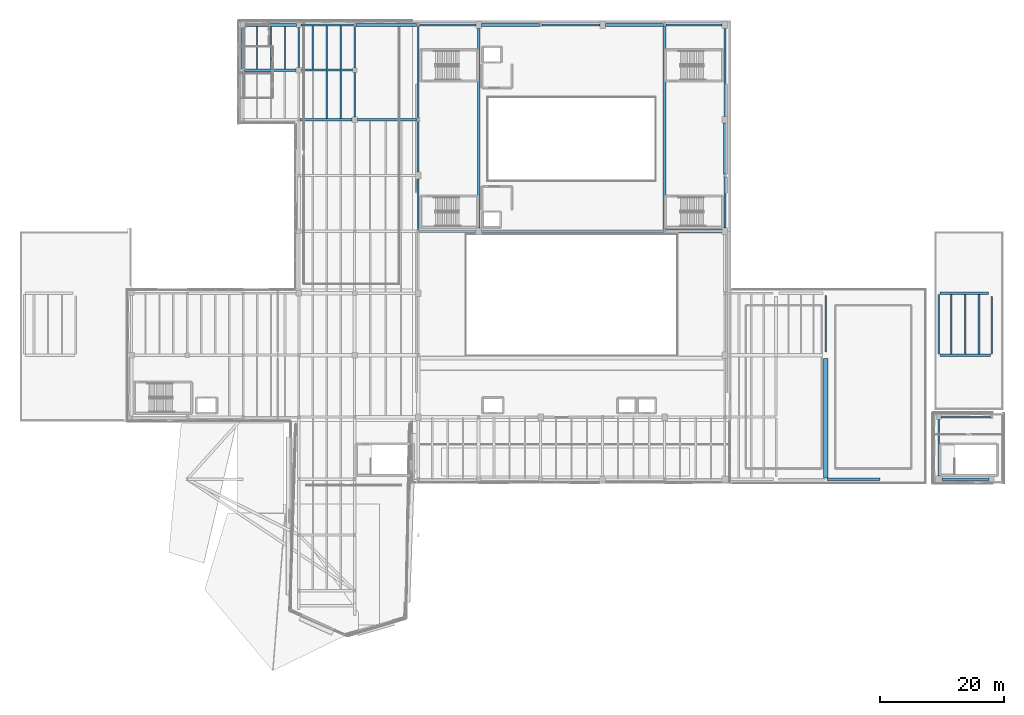
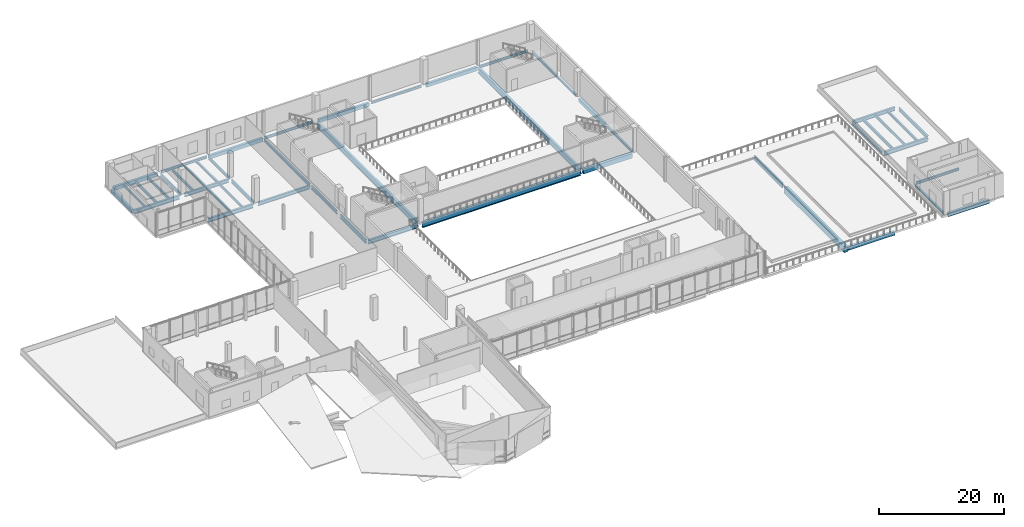
# One storey, part 24 of 41: 48 beams.
"""IFC4 building model written with IfcOpenShell, lengths in metres."""

from ifc_helpers import new_model, si_unit, direction, frame, origin, origin_2d, place, context, subcontext, project, spatial, rectangle, i_section, extrude, material, material_profile, profile_set, type_object, element, save


model = new_model("IFC4")

# Units and contexts
model_context = context("Model", 3, precision=1e-05, world=origin(), true_north=direction((0.0, 1.0)))
body_context = subcontext(model_context, "Body", "Model", "MODEL_VIEW")
ifc_project = project(units=[si_unit("LENGTHUNIT", "METRE"), si_unit("AREAUNIT", "SQUARE_METRE"), si_unit("VOLUMEUNIT", "CUBIC_METRE"), si_unit("PLANEANGLEUNIT", "RADIAN"), si_unit("MASSUNIT", "GRAM", prefix="KILO")], contexts=[model_context])

# Site, building, storey
site_placement = place(None, origin())
site = spatial("IfcSite", under=ifc_project, at=site_placement, CompositionType="ELEMENT")
building_placement = place(site_placement, origin())
building = spatial("IfcBuilding", under=site, at=building_placement, Name="Trimount Lyric Opera House", CompositionType="ELEMENT")
storey_placement = place(building_placement, frame((0.0, 0.0, 20.0)))
storey = spatial("IfcBuildingStorey", under=building, at=storey_placement, Name="L04", CompositionType="ELEMENT", Elevation=20.0)

# Beams
ifc_material_1 = material(Name="Steel ASTM A992 Grade 50", Category="steel")
ifc_material_profile_1 = material_profile(ifc_material_1, i_section(OverallWidth=0.304931640625, OverallDepth=0.9189453125, WebThickness=0.017333984375, FlangeThickness=0.02783203125, FilletRadius=0.02001953125, at=origin_2d()), Name="W36X170")
ifc_profile_set_1 = profile_set([ifc_material_profile_1], Name="Steel ASTM A992 Grade 50")
beam_type_1 = type_object("IfcBeamType", Name="B-03", PredefinedType="BEAM", material=ifc_profile_set_1)
beam_1_placement = place(storey_placement, frame((130.0, 64.5, -0.8095703125), z_axis=(0.0, 1.0, 0.0), x_axis=(-1.0, 0.0, 0.0)))
element("IfcBeam", 1, at=beam_1_placement, inside=storey, type_object=beam_type_1, Name="L04 girder Y-1240", PredefinedType="BEAM", context=body_context, shape_type="SweptSolid", body=[
    extrude(i_section(OverallWidth=0.304931640625, OverallDepth=0.9189453125, WebThickness=0.017333984375, FlangeThickness=0.02783203125, FilletRadius=0.02001953125, at=origin_2d()), origin(), (0.0, 0.0, 1.0), 9.10009765625),
])
ifc_material_2 = material(Name="Steel ASTM A992 Grade 50", Category="steel")
ifc_material_profile_2 = material_profile(ifc_material_2, i_section(OverallWidth=0.382080078125, OverallDepth=0.779052734375, WebThickness=0.01806640625, FlangeThickness=0.0302734375, FilletRadius=0.01904296875, at=origin_2d()), Name="W30X191")
ifc_profile_set_2 = profile_set([ifc_material_profile_2], Name="Steel ASTM A992 Grade 50")
beam_type_2 = type_object("IfcBeamType", Name="B-06", PredefinedType="BEAM", material=ifc_profile_set_2)
beam_2_placement = place(storey_placement, frame((148.426513671875, 64.0, -0.679443359375), z_axis=(1.0, 0.0, 0.0), x_axis=(0.0, 1.0, 0.0)))
element("IfcBeam", 2, at=beam_2_placement, inside=storey, type_object=beam_type_2, Name="L04 girder X-1157", PredefinedType="BEAM", context=body_context, shape_type="SweptSolid", body=[
    extrude(i_section(OverallWidth=0.382080078125, OverallDepth=0.779052734375, WebThickness=0.01806640625, FlangeThickness=0.0302734375, FilletRadius=0.01904296875, at=origin_2d()), origin(), (0.0, 0.0, 1.0), 8.134033203125),
])
beam_3_placement = place(storey_placement, frame((64.470947265625, 84.0, -0.714599609375), z_axis=(1.0, 0.0, 0.0), x_axis=(0.0, 1.0, 0.0)))
element("IfcBeam", 3, at=beam_3_placement, inside=storey, type_object=beam_type_2, Name="L04 girder X-1169", PredefinedType="BEAM", context=body_context, shape_type="SweptSolid", body=[
    extrude(i_section(OverallWidth=0.382080078125, OverallDepth=0.779052734375, WebThickness=0.01806640625, FlangeThickness=0.0302734375, FilletRadius=0.01904296875, at=origin_2d()), origin(), (0.0, 0.0, 1.0), 9.0791015625),
])
for number, where, z_axis, x_axis, name in (
    (4, (45.18408203125, 102.0, -0.66943359375), (1.0, 0.0, 0.0), (0.0, 1.0, 0.0), "L04 girder X-1175"),
    (5, (36.18408203125, 110.0, -0.66943359375), (1.0, 0.0, 0.0), (0.0, 1.0, 0.0), "L04 girder X-1177"),
):
    element("IfcBeam", number, at=place(storey_placement, frame(where, z_axis=z_axis, x_axis=x_axis)), inside=storey, type_object=beam_type_2, Name=name, PredefinedType="BEAM", context=body_context, shape_type="SweptSolid", body=[
        extrude(i_section(OverallWidth=0.382080078125, OverallDepth=0.779052734375, WebThickness=0.01806640625, FlangeThickness=0.0302734375, FilletRadius=0.01904296875, at=origin_2d()), origin(), (0.0, 0.0, 1.0), 8.365966796875),
    ])
ifc_material_3 = material(Name="Steel ASTM A992 Grade 50", Category="steel")
ifc_material_profile_3 = material_profile(ifc_material_3, i_section(OverallWidth=0.26708984375, OverallDepth=0.761962890625, WebThickness=0.014404296875, FlangeThickness=0.021484375, FilletRadius=0.01708984375, at=origin_2d()), Name="W30X116")
ifc_profile_set_3 = profile_set([ifc_material_profile_3], Name="Steel ASTM A992 Grade 50")
beam_type_3 = type_object("IfcBeamType", Name="B-07", PredefinedType="BEAM", material=ifc_profile_set_3)
beam_4_placement = place(storey_placement, frame((64.260009765625, 84.232421875, -0.7060546875), z_axis=(0.0, 1.0, 0.0), x_axis=(-1.0, 0.0, 0.0)))
element("IfcBeam", 6, at=beam_4_placement, inside=storey, type_object=beam_type_3, Name="L04 girder Y-1220", PredefinedType="BEAM", context=body_context, shape_type="SweptSolid", body=[
    extrude(i_section(OverallWidth=0.26708984375, OverallDepth=0.761962890625, WebThickness=0.014404296875, FlangeThickness=0.021484375, FilletRadius=0.01708984375, at=origin_2d()), origin(), (0.0, 0.0, 1.0), 8.217529296875),
])
ifc_material_4 = material(Name="Steel ASTM A992 Grade 50", Category="steel")
ifc_material_profile_4 = material_profile(ifc_material_4, i_section(OverallWidth=0.35595703125, OverallDepth=0.700927734375, WebThickness=0.016845703125, FlangeThickness=0.02734375, FilletRadius=0.01806640625, at=origin_2d()), Name="W27X161")
ifc_profile_set_4 = profile_set([ifc_material_profile_4], Name="Steel ASTM A992 Grade 50")
beam_type_4 = type_object("IfcBeamType", Name="B-08", PredefinedType="BEAM", material=ifc_profile_set_4)
beam_5_placement = place(storey_placement, frame((148.439453125, 74.0, -0.640380859375), z_axis=(1.0, 0.0, 0.0), x_axis=(0.0, 1.0, 0.0)))
element("IfcBeam", 7, at=beam_5_placement, inside=storey, type_object=beam_type_4, Name="L04 girder X-1166", PredefinedType="BEAM", context=body_context, shape_type="SweptSolid", body=[
    extrude(i_section(OverallWidth=0.35595703125, OverallDepth=0.700927734375, WebThickness=0.016845703125, FlangeThickness=0.02734375, FilletRadius=0.01806640625, at=origin_2d()), origin(), (0.0, 0.0, 1.0), 7.820556640625),
])
beam_6_placement = place(storey_placement, frame((54.449951171875, 102.0, -0.675537109375), z_axis=(1.0, 0.0, 0.0), x_axis=(0.0, 1.0, 0.0)))
element("IfcBeam", 8, at=beam_6_placement, inside=storey, type_object=beam_type_4, Name="L04 girder X-1176", PredefinedType="BEAM", context=body_context, shape_type="SweptSolid", body=[
    extrude(i_section(OverallWidth=0.35595703125, OverallDepth=0.700927734375, WebThickness=0.016845703125, FlangeThickness=0.02734375, FilletRadius=0.01806640625, at=origin_2d()), origin(), (0.0, 0.0, 1.0), 9.59912109375),
])
beam_7_placement = place(storey_placement, frame((45.449951171875, 110.0, -0.630615234375), z_axis=(1.0, 0.0, 0.0), x_axis=(0.0, 1.0, 0.0)))
element("IfcBeam", 9, at=beam_7_placement, inside=storey, type_object=beam_type_4, Name="L04 girder X-1178", PredefinedType="BEAM", context=body_context, shape_type="SweptSolid", body=[
    extrude(i_section(OverallWidth=0.35595703125, OverallDepth=0.700927734375, WebThickness=0.016845703125, FlangeThickness=0.02734375, FilletRadius=0.01806640625, at=origin_2d()), origin(), (0.0, 0.0, 1.0), 8.175048828125),
])
ifc_material_5 = material(Name="Steel ASTM A992 Grade 50", Category="steel")
ifc_material_profile_5 = material_profile(ifc_material_5, i_section(OverallWidth=0.25390625, OverallDepth=0.68798828125, WebThickness=0.01318359375, FlangeThickness=0.02099609375, FilletRadius=0.01611328125, at=origin_2d()), Name="W27X102")
ifc_profile_set_5 = profile_set([ifc_material_profile_5], Name="Steel ASTM A992 Grade 50")
beam_type_5 = type_object("IfcBeamType", Name="B-09", PredefinedType="BEAM", material=ifc_profile_set_5)
beam_8_placement = place(storey_placement, frame((45.0, 110.449951171875, -0.6240234375), z_axis=(0.0, 1.0, 0.0), x_axis=(-1.0, 0.0, 0.0)))
element("IfcBeam", 10, at=beam_8_placement, inside=storey, type_object=beam_type_5, Name="L04 girder Y-1205", PredefinedType="BEAM", context=body_context, shape_type="SweptSolid", body=[
    extrude(i_section(OverallWidth=0.25390625, OverallDepth=0.68798828125, WebThickness=0.01318359375, FlangeThickness=0.02099609375, FilletRadius=0.01611328125, at=origin_2d()), origin(), (0.0, 0.0, 1.0), 6.455078125),
])
beam_9_placement = place(storey_placement, frame((54.0, 102.449951171875, -0.6240234375), z_axis=(0.0, 1.0, 0.0), x_axis=(-1.0, 0.0, 0.0)))
element("IfcBeam", 11, at=beam_9_placement, inside=storey, type_object=beam_type_5, Name="L04 girder Y-1214", PredefinedType="BEAM", context=body_context, shape_type="SweptSolid", body=[
    extrude(i_section(OverallWidth=0.25390625, OverallDepth=0.68798828125, WebThickness=0.01318359375, FlangeThickness=0.02099609375, FilletRadius=0.01611328125, at=origin_2d()), origin(), (0.0, 0.0, 1.0), 7.175048828125),
])
beam_10_placement = place(storey_placement, frame((64.260009765625, 93.550048828125, -0.6689453125), z_axis=(0.0, 1.0, 0.0), x_axis=(-1.0, 0.0, 0.0)))
element("IfcBeam", 12, at=beam_10_placement, inside=storey, type_object=beam_type_5, Name="L04 girder Y-1221", PredefinedType="BEAM", context=body_context, shape_type="SweptSolid", body=[
    extrude(i_section(OverallWidth=0.25390625, OverallDepth=0.68798828125, WebThickness=0.01318359375, FlangeThickness=0.02099609375, FilletRadius=0.01611328125, at=origin_2d()), origin(), (0.0, 0.0, 1.0), 8.217529296875),
])
beam_11_placement = place(storey_placement, frame((156.760009765625, 64.193115234375, -0.634033203125), z_axis=(0.0, 1.0, 0.0), x_axis=(-1.0, 0.0, 0.0)))
element("IfcBeam", 13, at=beam_11_placement, inside=storey, type_object=beam_type_5, Name="L04 girder Y-1243", PredefinedType="BEAM", context=body_context, shape_type="SweptSolid", body=[
    extrude(i_section(OverallWidth=0.25390625, OverallDepth=0.68798828125, WebThickness=0.01318359375, FlangeThickness=0.02099609375, FilletRadius=0.01611328125, at=origin_2d()), origin(), (0.0, 0.0, 1.0), 9.306884765625),
])
ifc_material_6 = material(Name="Steel ASTM A992 Grade 50", Category="steel")
ifc_material_profile_6 = material_profile(ifc_material_6, i_section(OverallWidth=0.22998046875, OverallDepth=0.616943359375, WebThickness=0.01318359375, FlangeThickness=0.022216796875, FilletRadius=0.013916015625, at=origin_2d()), Name="W24X94")
ifc_profile_set_6 = profile_set([ifc_material_profile_6], Name="Steel ASTM A992 Grade 50")
beam_type_6 = type_object("IfcBeamType", Name="B-11", PredefinedType="BEAM", material=ifc_profile_set_6)
beam_12_placement = place(storey_placement, frame((54.0, 110.375, -0.58837890625), z_axis=(0.0, 1.0, 0.0), x_axis=(-1.0, 0.0, 0.0)))
element("IfcBeam", 14, at=beam_12_placement, inside=storey, type_object=beam_type_6, Name="L04 girder Y-1215", PredefinedType="BEAM", context=body_context, shape_type="SweptSolid", body=[
    extrude(i_section(OverallWidth=0.22998046875, OverallDepth=0.616943359375, WebThickness=0.01318359375, FlangeThickness=0.022216796875, FilletRadius=0.013916015625, at=origin_2d()), origin(), (0.0, 0.0, 1.0), 6.72705078125),
])
beam_13_placement = place(storey_placement, frame((64.260009765625, 102.232421875, -0.633544921875), z_axis=(0.0, 1.0, 0.0), x_axis=(-1.0, 0.0, 0.0)))
element("IfcBeam", 15, at=beam_13_placement, inside=storey, type_object=beam_type_6, Name="L04 girder Y-1222", PredefinedType="BEAM", context=body_context, shape_type="SweptSolid", body=[
    extrude(i_section(OverallWidth=0.22998046875, OverallDepth=0.616943359375, WebThickness=0.01318359375, FlangeThickness=0.022216796875, FilletRadius=0.013916015625, at=origin_2d()), origin(), (0.0, 0.0, 1.0), 14.815185546875),
])
ifc_material_7 = material(Name="Concrete C40/50", Category="concrete")
ifc_material_profile_7 = material_profile(ifc_material_7, rectangle(XDim=0.550048828125, YDim=0.89990234375, at=origin_2d()), Name="RC550X900")
ifc_profile_set_7 = profile_set([ifc_material_profile_7], Name="Concrete C40/50")
beam_type_7 = type_object("IfcBeamType", Name="B-14", PredefinedType="BEAM", material=ifc_profile_set_7)
beam_14_placement = place(storey_placement, frame((104.2109375, 84.0, -0.77490234375), z_axis=(1.0, 0.0, 0.0), x_axis=(0.0, 1.0, 0.0)))
element("IfcBeam", 16, at=beam_14_placement, inside=storey, type_object=beam_type_7, Name="L04 girder X-1171", PredefinedType="BEAM", context=body_context, shape_type="SweptSolid", body=[
    extrude(rectangle(XDim=0.550048828125, YDim=0.89990234375, at=origin_2d()), origin(), (0.0, 0.0, 1.0), 9.0791015625),
])
ifc_material_8 = material(Name="Steel ASTM A992 Grade 50", Category="steel")
ifc_material_profile_8 = material_profile(ifc_material_8, i_section(OverallWidth=0.22802734375, OverallDepth=0.60205078125, WebThickness=0.010498046875, FlangeThickness=0.014892578125, FilletRadius=0.012939453125, at=origin_2d()), Name="W24X68")
ifc_profile_set_8 = profile_set([ifc_material_profile_8], Name="Steel ASTM A992 Grade 50")
beam_type_8 = type_object("IfcBeamType", Name="J-01", PredefinedType="BEAM", material=ifc_profile_set_8)
beam_15_placement = place(storey_placement, frame((40.5, 110.18701171875, -0.5810546875), z_axis=(0.0, 1.0, 0.0), x_axis=(-1.0, 0.0, 0.0)))
element("IfcBeam", 17, at=beam_15_placement, inside=storey, type_object=beam_type_8, Name="L04 composite floor joist 1151", PredefinedType="BEAM", context=body_context, shape_type="SweptSolid", body=[
    extrude(i_section(OverallWidth=0.22802734375, OverallDepth=0.60205078125, WebThickness=0.010498046875, FlangeThickness=0.014892578125, FilletRadius=0.012939453125, at=origin_2d()), origin(), (0.0, 0.0, 1.0), 6.8720703125),
])
beam_16_placement = place(storey_placement, frame((49.5, 102.18701171875, -0.5810546875), z_axis=(0.0, 1.0, 0.0), x_axis=(-1.0, 0.0, 0.0)))
element("IfcBeam", 18, at=beam_16_placement, inside=storey, type_object=beam_type_8, Name="L04 composite floor joist 1178", PredefinedType="BEAM", context=body_context, shape_type="SweptSolid", body=[
    extrude(i_section(OverallWidth=0.22802734375, OverallDepth=0.60205078125, WebThickness=0.010498046875, FlangeThickness=0.014892578125, FilletRadius=0.012939453125, at=origin_2d()), origin(), (0.0, 0.0, 1.0), 7.638916015625),
])
beam_17_placement = place(storey_placement, frame((47.25, 110.174072265625, -0.5810546875), z_axis=(0.0, 1.0, 0.0), x_axis=(-1.0, 0.0, 0.0)))
element("IfcBeam", 19, at=beam_17_placement, inside=storey, type_object=beam_type_8, Name="L04 composite floor joist 1180", PredefinedType="BEAM", context=body_context, shape_type="SweptSolid", body=[
    extrude(i_section(OverallWidth=0.22802734375, OverallDepth=0.60205078125, WebThickness=0.010498046875, FlangeThickness=0.014892578125, FilletRadius=0.012939453125, at=origin_2d()), origin(), (0.0, 0.0, 1.0), 6.968994140625),
])
beam_18_placement = place(storey_placement, frame((150.25, 64.18701171875, -0.591064453125), z_axis=(0.0, 1.0, 0.0), x_axis=(-1.0, 0.0, 0.0)))
element("IfcBeam", 20, at=beam_18_placement, inside=storey, type_object=beam_type_8, Name="L04 composite floor joist 1225", PredefinedType="BEAM", context=body_context, shape_type="SweptSolid", body=[
    extrude(i_section(OverallWidth=0.22802734375, OverallDepth=0.60205078125, WebThickness=0.010498046875, FlangeThickness=0.014892578125, FilletRadius=0.012939453125, at=origin_2d()), origin(), (0.0, 0.0, 1.0), 9.638916015625),
])
ifc_material_9 = material(Name="Steel ASTM A992 Grade 50", Category="steel")
ifc_material_profile_9 = material_profile(ifc_material_9, i_section(OverallWidth=0.2099609375, OverallDepth=0.532958984375, WebThickness=0.01025390625, FlangeThickness=0.015625, FilletRadius=0.012939453125, at=origin_2d()), Name="W21X62")
ifc_profile_set_9 = profile_set([ifc_material_profile_9], Name="Steel ASTM A992 Grade 50")
beam_type_9 = type_object("IfcBeamType", Name="J-02", PredefinedType="BEAM", material=ifc_profile_set_9)
beam_19_placement = place(storey_placement, frame((42.75, 110.18701171875, -0.54638671875), z_axis=(0.0, 1.0, 0.0), x_axis=(-1.0, 0.0, 0.0)))
element("IfcBeam", 21, at=beam_19_placement, inside=storey, type_object=beam_type_9, Name="L04 composite floor joist 1152", PredefinedType="BEAM", context=body_context, shape_type="SweptSolid", body=[
    extrude(i_section(OverallWidth=0.2099609375, OverallDepth=0.532958984375, WebThickness=0.01025390625, FlangeThickness=0.015625, FilletRadius=0.012939453125, at=origin_2d()), origin(), (0.0, 0.0, 1.0), 6.8720703125),
])
beam_20_placement = place(storey_placement, frame((51.75, 102.18701171875, -0.54638671875), z_axis=(0.0, 1.0, 0.0), x_axis=(-1.0, 0.0, 0.0)))
element("IfcBeam", 22, at=beam_20_placement, inside=storey, type_object=beam_type_9, Name="L04 composite floor joist 1179", PredefinedType="BEAM", context=body_context, shape_type="SweptSolid", body=[
    extrude(i_section(OverallWidth=0.2099609375, OverallDepth=0.532958984375, WebThickness=0.01025390625, FlangeThickness=0.015625, FilletRadius=0.012939453125, at=origin_2d()), origin(), (0.0, 0.0, 1.0), 7.638916015625),
])
beam_21_placement = place(storey_placement, frame((49.5, 110.174072265625, -0.54638671875), z_axis=(0.0, 1.0, 0.0), x_axis=(-1.0, 0.0, 0.0)))
element("IfcBeam", 23, at=beam_21_placement, inside=storey, type_object=beam_type_9, Name="L04 composite floor joist 1181", PredefinedType="BEAM", context=body_context, shape_type="SweptSolid", body=[
    extrude(i_section(OverallWidth=0.2099609375, OverallDepth=0.532958984375, WebThickness=0.01025390625, FlangeThickness=0.015625, FilletRadius=0.012939453125, at=origin_2d()), origin(), (0.0, 0.0, 1.0), 6.968994140625),
])
beam_22_placement = place(storey_placement, frame((152.5, 64.18701171875, -0.556396484375), z_axis=(0.0, 1.0, 0.0), x_axis=(-1.0, 0.0, 0.0)))
element("IfcBeam", 24, at=beam_22_placement, inside=storey, type_object=beam_type_9, Name="L04 composite floor joist 1226", PredefinedType="BEAM", context=body_context, shape_type="SweptSolid", body=[
    extrude(i_section(OverallWidth=0.2099609375, OverallDepth=0.532958984375, WebThickness=0.01025390625, FlangeThickness=0.015625, FilletRadius=0.012939453125, at=origin_2d()), origin(), (0.0, 0.0, 1.0), 9.638916015625),
])
ifc_material_10 = material(Name="Steel ASTM A992 Grade 50", Category="steel")
ifc_material_profile_10 = material_profile(ifc_material_10, i_section(OverallWidth=0.281982421875, OverallDepth=0.467041015625, WebThickness=0.01220703125, FlangeThickness=0.01953125, FilletRadius=0.012939453125, at=origin_2d()), Name="W18X86")
ifc_profile_set_10 = profile_set([ifc_material_profile_10], Name="Steel ASTM A992 Grade 50")
beam_type_10 = type_object("IfcBeamType", Name="J-03", PredefinedType="BEAM", material=ifc_profile_set_10)
beam_23_placement = place(storey_placement, frame((51.75, 110.174072265625, -0.513427734375), z_axis=(0.0, 1.0, 0.0), x_axis=(-1.0, 0.0, 0.0)))
element("IfcBeam", 25, at=beam_23_placement, inside=storey, type_object=beam_type_10, Name="L04 composite floor joist 1182", PredefinedType="BEAM", context=body_context, shape_type="SweptSolid", body=[
    extrude(i_section(OverallWidth=0.281982421875, OverallDepth=0.467041015625, WebThickness=0.01220703125, FlangeThickness=0.01953125, FilletRadius=0.012939453125, at=origin_2d()), origin(), (0.0, 0.0, 1.0), 6.968994140625),
])
beam_24_placement = place(storey_placement, frame((154.75, 64.18701171875, -0.5234375), z_axis=(0.0, 1.0, 0.0), x_axis=(-1.0, 0.0, 0.0)))
element("IfcBeam", 26, at=beam_24_placement, inside=storey, type_object=beam_type_10, Name="L04 composite floor joist 1227", PredefinedType="BEAM", context=body_context, shape_type="SweptSolid", body=[
    extrude(i_section(OverallWidth=0.281982421875, OverallDepth=0.467041015625, WebThickness=0.01220703125, FlangeThickness=0.01953125, FilletRadius=0.012939453125, at=origin_2d()), origin(), (0.0, 0.0, 1.0), 9.638916015625),
])
ifc_material_11 = material(Name="Steel ASTM A992 Grade 50", Category="steel")
ifc_material_profile_11 = material_profile(ifc_material_11, i_section(OverallWidth=0.177978515625, OverallDepth=0.404052734375, WebThickness=0.007568359375, FlangeThickness=0.010986328125, FilletRadius=0.010009765625, at=origin_2d()), Name="W16X36")
ifc_profile_set_11 = profile_set([ifc_material_profile_11], Name="Steel ASTM A992 Grade 50")
beam_type_11 = type_object("IfcBeamType", Name="J-06", PredefinedType="BEAM", material=ifc_profile_set_11)
beam_25_placement = place(storey_placement, frame((38.25, 110.18701171875, -0.48193359375), z_axis=(0.0, 1.0, 0.0), x_axis=(-1.0, 0.0, 0.0)))
element("IfcBeam", 27, at=beam_25_placement, inside=storey, type_object=beam_type_11, Name="L04 composite floor joist 1150", PredefinedType="BEAM", context=body_context, shape_type="SweptSolid", body=[
    extrude(i_section(OverallWidth=0.177978515625, OverallDepth=0.404052734375, WebThickness=0.007568359375, FlangeThickness=0.010986328125, FilletRadius=0.010009765625, at=origin_2d()), origin(), (0.0, 0.0, 1.0), 6.8720703125),
])
ifc_material_12 = material(Name="Steel ASTM A992 Grade 50", Category="steel")
ifc_material_profile_12 = material_profile(ifc_material_12, i_section(OverallWidth=0.281982421875, OverallDepth=0.467041015625, WebThickness=0.01220703125, FlangeThickness=0.01953125, FilletRadius=0.012939453125, at=origin_2d()), Name="W18X86")
ifc_profile_set_12 = profile_set([ifc_material_profile_12], Name="Steel ASTM A992 Grade 50")
beam_type_12 = type_object("IfcBeamType", Name="SP-01", PredefinedType="SPANDREL", material=ifc_profile_set_12)
beam_26_placement = place(storey_placement, frame((148.639892578125, 54.0, -0.4833984375), z_axis=(1.0, 0.0, 0.0), x_axis=(0.0, 1.0, 0.0)))
element("IfcBeam", 28, at=beam_26_placement, inside=storey, type_object=beam_type_12, Name="L04 girder X-1148", PredefinedType="SPANDREL", context=body_context, shape_type="SweptSolid", body=[
    extrude(i_section(OverallWidth=0.281982421875, OverallDepth=0.467041015625, WebThickness=0.01220703125, FlangeThickness=0.01953125, FilletRadius=0.012939453125, at=origin_2d()), origin(), (0.0, 0.0, 1.0), 7.93359375),
])
beam_27_placement = place(storey_placement, frame((45.375, 117.280029296875, -0.513427734375), z_axis=(1.0, 0.0, 0.0), x_axis=(0.0, 1.0, 0.0)))
element("IfcBeam", 29, at=beam_27_placement, inside=storey, type_object=beam_type_12, Name="L04 girder X-1180", PredefinedType="SPANDREL", context=body_context, shape_type="SweptSolid", body=[
    extrude(i_section(OverallWidth=0.281982421875, OverallDepth=0.467041015625, WebThickness=0.01220703125, FlangeThickness=0.01953125, FilletRadius=0.012939453125, at=origin_2d()), origin(), (0.0, 0.0, 1.0), 8.44091796875),
])
beam_28_placement = place(storey_placement, frame((64.470947265625, 117.280029296875, -0.55859375), z_axis=(1.0, 0.0, 0.0), x_axis=(0.0, 1.0, 0.0)))
element("IfcBeam", 30, at=beam_28_placement, inside=storey, type_object=beam_type_12, Name="L04 girder X-1182", PredefinedType="SPANDREL", context=body_context, shape_type="SweptSolid", body=[
    extrude(i_section(OverallWidth=0.281982421875, OverallDepth=0.467041015625, WebThickness=0.01220703125, FlangeThickness=0.01953125, FilletRadius=0.012939453125, at=origin_2d()), origin(), (0.0, 0.0, 1.0), 9.0791015625),
])
beam_29_placement = place(storey_placement, frame((84.2109375, 117.280029296875, -0.55859375), z_axis=(1.0, 0.0, 0.0), x_axis=(0.0, 1.0, 0.0)))
element("IfcBeam", 31, at=beam_29_placement, inside=storey, type_object=beam_type_12, Name="L04 girder X-1184", PredefinedType="SPANDREL", context=body_context, shape_type="SweptSolid", body=[
    extrude(i_section(OverallWidth=0.281982421875, OverallDepth=0.467041015625, WebThickness=0.01220703125, FlangeThickness=0.01953125, FilletRadius=0.012939453125, at=origin_2d()), origin(), (0.0, 0.0, 1.0), 9.339111328125),
])
beam_30_placement = place(storey_placement, frame((104.2109375, 117.280029296875, -0.55859375), z_axis=(1.0, 0.0, 0.0), x_axis=(0.0, 1.0, 0.0)))
element("IfcBeam", 32, at=beam_30_placement, inside=storey, type_object=beam_type_12, Name="L04 girder X-1186", PredefinedType="SPANDREL", context=body_context, shape_type="SweptSolid", body=[
    extrude(i_section(OverallWidth=0.281982421875, OverallDepth=0.467041015625, WebThickness=0.01220703125, FlangeThickness=0.01953125, FilletRadius=0.012939453125, at=origin_2d()), origin(), (0.0, 0.0, 1.0), 9.0791015625),
])
beam_31_placement = place(storey_placement, frame((113.739990234375, 84.550048828125, -0.55859375), z_axis=(0.0, 1.0, 0.0), x_axis=(-1.0, 0.0, 0.0)))
element("IfcBeam", 33, at=beam_31_placement, inside=storey, type_object=beam_type_12, Name="L04 girder Y-1233", PredefinedType="SPANDREL", context=body_context, shape_type="SweptSolid", body=[
    extrude(i_section(OverallWidth=0.281982421875, OverallDepth=0.467041015625, WebThickness=0.01220703125, FlangeThickness=0.01953125, FilletRadius=0.012939453125, at=origin_2d()), origin(), (0.0, 0.0, 1.0), 8.217529296875),
])
beam_32_placement = place(storey_placement, frame((113.739990234375, 102.550048828125, -0.55859375), z_axis=(0.0, 1.0, 0.0), x_axis=(-1.0, 0.0, 0.0)))
element("IfcBeam", 34, at=beam_32_placement, inside=storey, type_object=beam_type_12, Name="L04 girder Y-1235", PredefinedType="SPANDREL", context=body_context, shape_type="SweptSolid", body=[
    extrude(i_section(OverallWidth=0.281982421875, OverallDepth=0.467041015625, WebThickness=0.01220703125, FlangeThickness=0.01953125, FilletRadius=0.012939453125, at=origin_2d()), origin(), (0.0, 0.0, 1.0), 14.179931640625),
])
beam_33_placement = place(storey_placement, frame((148.239990234375, 44.5, -0.4833984375), z_axis=(0.0, 1.0, 0.0), x_axis=(-1.0, 0.0, 0.0)))
element("IfcBeam", 35, at=beam_33_placement, inside=storey, type_object=beam_type_12, Name="L04 girder Y-1241", PredefinedType="SPANDREL", context=body_context, shape_type="SweptSolid", body=[
    extrude(i_section(OverallWidth=0.281982421875, OverallDepth=0.467041015625, WebThickness=0.01220703125, FlangeThickness=0.01953125, FilletRadius=0.012939453125, at=origin_2d()), origin(), (0.0, 0.0, 1.0), 9.10009765625),
])
beam_34_placement = place(storey_placement, frame((148.239990234375, 64.18408203125, -0.5234375), z_axis=(0.0, 1.0, 0.0), x_axis=(-1.0, 0.0, 0.0)))
element("IfcBeam", 36, at=beam_34_placement, inside=storey, type_object=beam_type_12, Name="L04 girder Y-1242", PredefinedType="SPANDREL", context=body_context, shape_type="SweptSolid", body=[
    extrude(i_section(OverallWidth=0.281982421875, OverallDepth=0.467041015625, WebThickness=0.01220703125, FlangeThickness=0.01953125, FilletRadius=0.012939453125, at=origin_2d()), origin(), (0.0, 0.0, 1.0), 9.622802734375),
])
ifc_material_13 = material(Name="Concrete C40/50", Category="concrete")
ifc_material_profile_13 = material_profile(ifc_material_13, rectangle(XDim=0.449951171875, YDim=0.699951171875, at=origin_2d()), Name="RC450X700")
ifc_profile_set_13 = profile_set([ifc_material_profile_13], Name="Concrete C40/50")
beam_type_13 = type_object("IfcBeamType", Name="SP-02", PredefinedType="SPANDREL", material=ifc_profile_set_13)
beam_35_placement = place(storey_placement, frame((130.1865234375, 44.0, -0.699951171875), z_axis=(1.0, 0.0, 0.0), x_axis=(0.0, 1.0, 0.0)))
element("IfcBeam", 37, at=beam_35_placement, inside=storey, type_object=beam_type_13, Name="L04 girder X-1135", PredefinedType="SPANDREL", context=body_context, shape_type="SweptSolid", body=[
    extrude(rectangle(XDim=0.449951171875, YDim=0.699951171875, at=origin_2d()), origin(), (0.0, 0.0, 1.0), 8.614013671875),
])
beam_36_placement = place(storey_placement, frame((148.739990234375, 44.0, -0.60009765625), z_axis=(1.0, 0.0, 0.0), x_axis=(0.0, 1.0, 0.0)))
element("IfcBeam", 38, at=beam_36_placement, inside=storey, type_object=beam_type_13, Name="L04 girder X-1136", PredefinedType="SPANDREL", context=body_context, shape_type="SweptSolid", body=[
    extrude(rectangle(XDim=0.449951171875, YDim=0.699951171875, at=origin_2d()), origin(), (0.0, 0.0, 1.0), 7.6201171875),
])
beam_37_placement = place(storey_placement, frame((36.449951171875, 117.280029296875, -0.6298828125), z_axis=(1.0, 0.0, 0.0), x_axis=(0.0, 1.0, 0.0)))
element("IfcBeam", 39, at=beam_37_placement, inside=storey, type_object=beam_type_13, Name="L04 girder X-1179", PredefinedType="SPANDREL", context=body_context, shape_type="SweptSolid", body=[
    extrude(rectangle(XDim=0.449951171875, YDim=0.699951171875, at=origin_2d()), origin(), (0.0, 0.0, 1.0), 8.175048828125),
])
beam_38_placement = place(storey_placement, frame((54.18408203125, 117.280029296875, -0.675048828125), z_axis=(1.0, 0.0, 0.0), x_axis=(0.0, 1.0, 0.0)))
element("IfcBeam", 40, at=beam_38_placement, inside=storey, type_object=beam_type_13, Name="L04 girder X-1181", PredefinedType="SPANDREL", context=body_context, shape_type="SweptSolid", body=[
    extrude(rectangle(XDim=0.449951171875, YDim=0.699951171875, at=origin_2d()), origin(), (0.0, 0.0, 1.0), 9.864990234375),
])
for number, where, z_axis, x_axis, name in (
    (41, (74.449951171875, 117.280029296875, -0.675048828125), (1.0, 0.0, 0.0), (0.0, 1.0, 0.0), "L04 girder X-1183"),
    (42, (94.449951171875, 117.280029296875, -0.675048828125), (1.0, 0.0, 0.0), (0.0, 1.0, 0.0), "L04 girder X-1185"),
):
    element("IfcBeam", number, at=place(storey_placement, frame(where, z_axis=z_axis, x_axis=x_axis)), inside=storey, type_object=beam_type_13, Name=name, PredefinedType="SPANDREL", context=body_context, shape_type="SweptSolid", body=[
        extrude(rectangle(XDim=0.449951171875, YDim=0.699951171875, at=origin_2d()), origin(), (0.0, 0.0, 1.0), 9.339111328125),
    ])
beam_39_placement = place(storey_placement, frame((36.0, 110.177978515625, -0.6298828125), z_axis=(0.0, 1.0, 0.0), x_axis=(-1.0, 0.0, 0.0)))
element("IfcBeam", 43, at=beam_39_placement, inside=storey, type_object=beam_type_13, Name="L04 girder Y-1195", PredefinedType="SPANDREL", context=body_context, shape_type="SweptSolid", body=[
    extrude(rectangle(XDim=0.449951171875, YDim=0.699951171875, at=origin_2d()), origin(), (0.0, 0.0, 1.0), 6.652099609375),
])
beam_40_placement = place(storey_placement, frame((113.739990234375, 93.232421875, -0.675048828125), z_axis=(0.0, 1.0, 0.0), x_axis=(-1.0, 0.0, 0.0)))
element("IfcBeam", 44, at=beam_40_placement, inside=storey, type_object=beam_type_13, Name="L04 girder Y-1234", PredefinedType="SPANDREL", context=body_context, shape_type="SweptSolid", body=[
    extrude(rectangle(XDim=0.449951171875, YDim=0.699951171875, at=origin_2d()), origin(), (0.0, 0.0, 1.0), 8.217529296875),
])
ifc_material_14 = material(Name="Steel ASTM A992 Grade 50", Category="steel")
ifc_material_profile_14 = material_profile(ifc_material_14, i_section(OverallWidth=0.427001953125, OverallDepth=1.092041015625, WebThickness=0.031005859375, FlangeThickness=0.055908203125, FilletRadius=0.02490234375, at=origin_2d()), Name="W40X397")
ifc_profile_set_14 = profile_set([ifc_material_profile_14], Name="Steel ASTM A992 Grade 50")
beam_type_14 = type_object("IfcBeamType", Name="TG-02", PredefinedType="USERDEFINED", material=ifc_profile_set_14)
beam_41_placement = place(storey_placement, frame((74.0, 84.550048828125, -0.87109375), z_axis=(0.0, 1.0, 0.0), x_axis=(-1.0, 0.0, 0.0)))
element("IfcBeam", 45, at=beam_41_placement, inside=storey, type_object=beam_type_14, Name="L04 girder Y-1224", ObjectType="TRANSFER_GIRDER", PredefinedType="USERDEFINED", context=body_context, shape_type="SweptSolid", body=[
    extrude(i_section(OverallWidth=0.427001953125, OverallDepth=1.092041015625, WebThickness=0.031005859375, FlangeThickness=0.055908203125, FilletRadius=0.02490234375, at=origin_2d()), origin(), (0.0, 0.0, 1.0), 32.179931640625),
])
beam_42_placement = place(storey_placement, frame((104.0, 84.232421875, -0.87109375), z_axis=(0.0, 1.0, 0.0), x_axis=(-1.0, 0.0, 0.0)))
element("IfcBeam", 46, at=beam_42_placement, inside=storey, type_object=beam_type_14, Name="L04 girder Y-1228", ObjectType="TRANSFER_GIRDER", PredefinedType="USERDEFINED", context=body_context, shape_type="SweptSolid", body=[
    extrude(i_section(OverallWidth=0.427001953125, OverallDepth=1.092041015625, WebThickness=0.031005859375, FlangeThickness=0.055908203125, FilletRadius=0.02490234375, at=origin_2d()), origin(), (0.0, 0.0, 1.0), 32.815185546875),
])
ifc_material_15 = material(Name="Steel ASTM A992 Grade 50", Category="steel")
ifc_material_profile_15 = material_profile(ifc_material_15, i_section(OverallWidth=0.4189453125, OverallDepth=1.052001953125, WebThickness=0.023681640625, FlangeThickness=0.0419921875, FilletRadius=0.02490234375, at=origin_2d()), Name="W40X297")
ifc_profile_set_15 = profile_set([ifc_material_profile_15], Name="Steel ASTM A992 Grade 50")
beam_type_15 = type_object("IfcBeamType", Name="TG-03", PredefinedType="USERDEFINED", material=ifc_profile_set_15)
beam_43_placement = place(storey_placement, frame((74.449951171875, 84.0, -0.85107421875), z_axis=(1.0, 0.0, 0.0), x_axis=(0.0, 1.0, 0.0)))
element("IfcBeam", 47, at=beam_43_placement, inside=storey, type_object=beam_type_15, Name="L04 girder X-1170", ObjectType="TRANSFER_GIRDER", PredefinedType="USERDEFINED", context=body_context, shape_type="SweptSolid", body=[
    extrude(i_section(OverallWidth=0.4189453125, OverallDepth=1.052001953125, WebThickness=0.023681640625, FlangeThickness=0.0419921875, FilletRadius=0.02490234375, at=origin_2d()), origin(), (0.0, 0.0, 1.0), 29.339111328125),
])
ifc_material_16 = material(Name="Concrete C40/50", Category="concrete")
ifc_material_profile_16 = material_profile(ifc_material_16, rectangle(XDim=0.699951171875, YDim=1.199951171875, at=origin_2d()), Name="RC700X1200")
ifc_profile_set_16 = profile_set([ifc_material_profile_16], Name="Concrete C40/50")
beam_type_16 = type_object("IfcBeamType", Name="TG-05", PredefinedType="USERDEFINED", material=ifc_profile_set_16)
beam_44_placement = place(storey_placement, frame((130.0, 44.18408203125, -0.949951171875), z_axis=(0.0, 1.0, 0.0), x_axis=(-1.0, 0.0, 0.0)))
element("IfcBeam", 48, at=beam_44_placement, inside=storey, type_object=beam_type_16, Name="L04 girder Y-1239", ObjectType="TRANSFER_GIRDER", PredefinedType="USERDEFINED", context=body_context, shape_type="SweptSolid", body=[
    extrude(rectangle(XDim=0.699951171875, YDim=1.199951171875, at=origin_2d()), origin(), (0.0, 0.0, 1.0), 19.31591796875),
])

save(model, "model.ifc")
